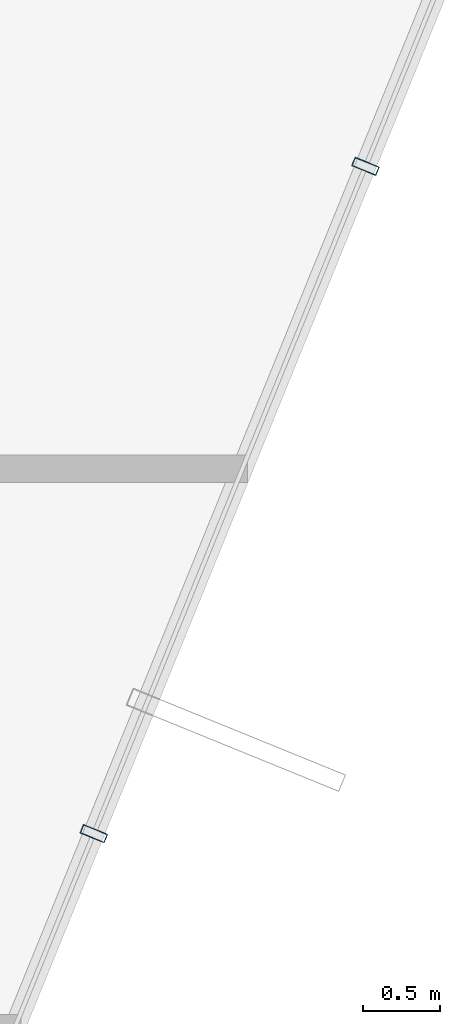
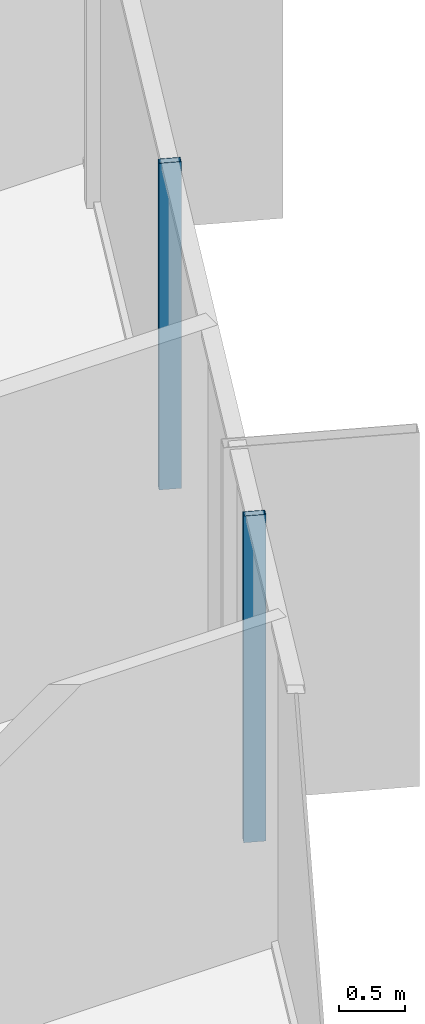
# One storey, part 16 of 37: 2 members, 1 element without a shape of its own.
"""IFC4 building model written with IfcOpenShell, lengths in metres."""

from ifc_helpers import new_model, si_unit, direction, frame, origin, origin_2d, place, context, subcontext, project, spatial, hollow_rectangle, extrude, source, transform, mapped, material, layer, layer_set, material_profile, profile_set, type_object, element, aggregate, save


model = new_model("IFC4")

# Units and contexts
model_context = context("Model", 3, precision=1e-05, world=origin(), true_north=direction((0.0, 1.0)))
body_context = subcontext(model_context, "Body", "Model", "MODEL_VIEW")
ifc_project = project(units=[si_unit("LENGTHUNIT", "METRE"), si_unit("AREAUNIT", "SQUARE_METRE"), si_unit("VOLUMEUNIT", "CUBIC_METRE"), si_unit("PLANEANGLEUNIT", "RADIAN"), si_unit("MASSUNIT", "GRAM", prefix="KILO")], contexts=[model_context])

# Site, building, storey
site_placement = place(None, origin())
site = spatial("IfcSite", under=ifc_project, at=site_placement, CompositionType="ELEMENT")
building_placement = place(site_placement, origin())
building = spatial("IfcBuilding", under=site, at=building_placement, Name="Veraguas Prism Commons", CompositionType="ELEMENT")
storey_placement = place(building_placement, frame((0.0, 0.0, 50.050048828125)))
storey = spatial("IfcBuildingStorey", under=building, at=storey_placement, Name="L13", CompositionType="ELEMENT", Elevation=50.050048828125)

# Curtain wall, members
ifc_material = material(Name="Anodised aluminium EN AW-6063 T6", Category="aluminium")
ifc_layer = layer(ifc_material, 0.169921875, Name="Unitised Flush Curtain Wall Zone 1", Category="aluminium")
ifc_layer_set = layer_set([ifc_layer], Name="Anodised aluminium EN AW-6063 T6")
curtain_wall_type = type_object("IfcCurtainWallType", Name="Unitised Flush Curtain Wall Zone 1", PredefinedType="NOTDEFINED", material=ifc_layer_set)
curtain_wall_placement = place(storey_placement, origin())
curtain_wall = element("IfcCurtainWall", 1, at=curtain_wall_placement, inside=storey, type_object=curtain_wall_type, Name="Tower Facade Curtain Wall L13-F6", PredefinedType="NOTDEFINED")
ifc_material_profile = material_profile(ifc_material, hollow_rectangle(XDim=0.06005859375, YDim=0.169921875, WallThickness=0.00390625, at=origin_2d()), Name="AL60X170X4")
ifc_profile_set = profile_set([ifc_material_profile], Name="Anodised aluminium EN AW-6063 T6")
member_type = type_object("IfcMemberType", Name="Curtain Wall Mullion Lower AL 60x170x4", PredefinedType="MULLION", material=ifc_profile_set)
shared_shape = source(origin(), body_context, "Body", "SweptSolid", [
    extrude(hollow_rectangle(XDim=0.06005859375, YDim=0.169921875, WallThickness=0.00390625, at=origin_2d()), origin(), (0.0, 0.0, 1.0), 3.0),
])
member_1_placement = place(storey_placement, frame((41.487548828125, 11.834228515625, 0.0), z_axis=(0.0, 0.0, 1.0), x_axis=(0.377197548003, 0.926132825128, 0.0)))
member_1 = element("IfcMember", 2, at=member_1_placement, type_object=member_type, Name="CW-Z1 Mullion 2", PredefinedType="MULLION", context=body_context, shape_type="MappedRepresentation", body=[
    mapped(shared_shape, transform((0.0, 0.0, 0.0), scale=1.0)),
])
member_2_placement = place(storey_placement, frame((43.249267578125, 16.16015625, 0.0), z_axis=(0.0, 0.0, 1.0), x_axis=(0.377197548003, 0.926132825128, 0.0)))
member_2 = element("IfcMember", 3, at=member_2_placement, type_object=member_type, Name="CW-Z1 Mullion 3", PredefinedType="MULLION", context=body_context, shape_type="MappedRepresentation", body=[
    mapped(shared_shape, transform((0.0, 0.0, 0.0), scale=1.0)),
])
aggregate(curtain_wall, [member_1, member_2])

save(model, "model.ifc")
